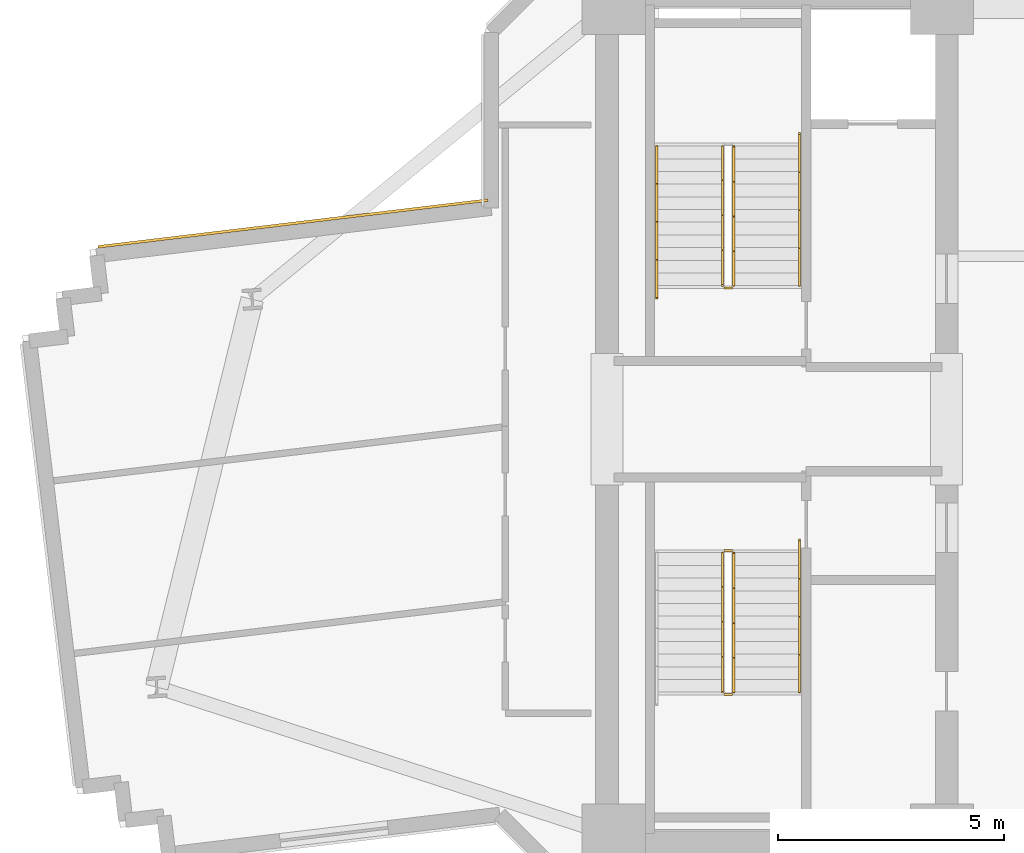
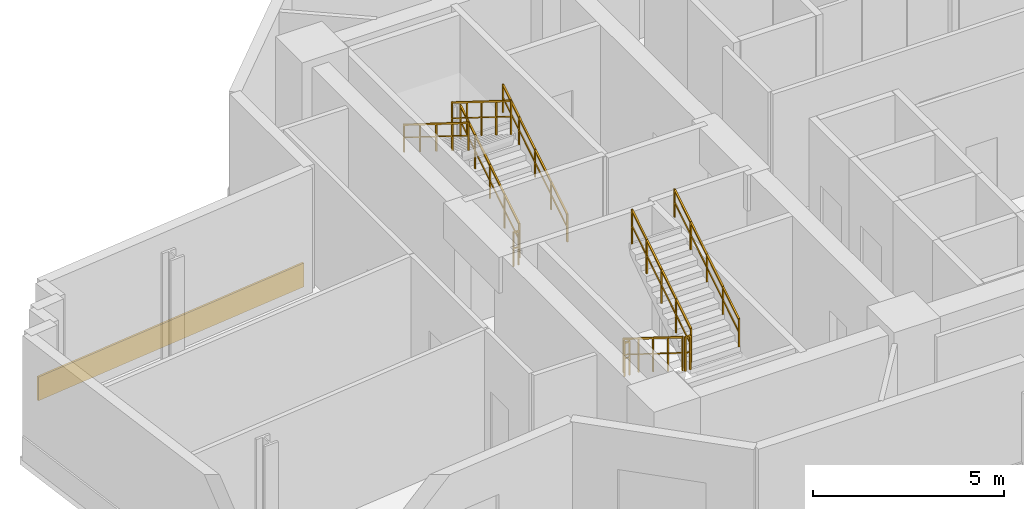
# One storey, part 12 of 15: 10 railings, 1 covering.
"""IFC4 building model written with IfcOpenShell, lengths in metres."""

from ifc_helpers import new_model, si_unit, direction, frame, origin, origin_2d, place, context, subcontext, project, spatial, rectangle, extrude, source, transform, mapped, material, layer, layer_set, type_object, element, save


model = new_model("IFC4")

# Units and contexts
model_context = context("Model", 3, precision=1e-05, world=origin(), true_north=direction((0.0, 1.0)))
body_context = subcontext(model_context, "Body", "Model", "MODEL_VIEW")
ifc_project = project(units=[si_unit("LENGTHUNIT", "METRE"), si_unit("AREAUNIT", "SQUARE_METRE"), si_unit("VOLUMEUNIT", "CUBIC_METRE"), si_unit("PLANEANGLEUNIT", "RADIAN"), si_unit("MASSUNIT", "GRAM", prefix="KILO")], contexts=[model_context])

# Site, building, storey
site_placement = place(None, origin())
site = spatial("IfcSite", under=ifc_project, at=site_placement, CompositionType="ELEMENT")
building_placement = place(site_placement, origin())
building = spatial("IfcBuilding", under=site, at=building_placement, Name="Zahravan Cultural Tower", CompositionType="ELEMENT")
storey_placement = place(building_placement, frame((0.0, 0.0, 104.699951171875)))
storey = spatial("IfcBuildingStorey", under=building, at=storey_placement, Name="L23", CompositionType="ELEMENT", Elevation=104.699951171875)

# Railings
ifc_material_1 = material(Name="Steel ASTM A572 Grade 50", Category="steel")
railing_type_1 = type_object("IfcRailingType", Name="RL-STAIR-GRD1150", PredefinedType="BALUSTRADE", material=ifc_material_1)
railing_1_placement = place(storey_placement, frame((24.300048828125, 29.949951171875, 0.175048828125)))
element("IfcRailing", 1, at=railing_1_placement, inside=storey, type_object=railing_type_1, Name="L23 ST-W1 stair guard 1", PredefinedType="BALUSTRADE", context=body_context, shape_type="SweptSolid", body=[
    extrude(rectangle(XDim=0.05, YDim=0.05, at=origin_2d()), frame((0.0, 0.0, 1.0751953125), z_axis=(0.0, 0.847998304005, 0.529998940003), x_axis=(-1.0, 0.0, 0.0)), (0.0, 0.0, 1.0), 3.632080078125),
    extrude(rectangle(XDim=0.032, YDim=0.032, at=origin_2d()), frame((0.0, 0.0, 0.572021484375), z_axis=(0.0, 0.847998304005, 0.529998940003), x_axis=(-1.0, 0.0, 0.0)), (0.0, 0.0, 1.0), 3.632080078125),
    extrude(rectangle(XDim=0.04, YDim=0.04, at=origin_2d()), origin(), (0.0, 0.0, 1.0), 1.10009765625),
    extrude(rectangle(XDim=0.04, YDim=0.04, at=origin_2d()), frame((0.0, 0.77001953125, 0.481201171875)), (0.0, 0.0, 1.0), 1.10009765625),
    extrude(rectangle(XDim=0.04, YDim=0.04, at=origin_2d()), frame((0.0, 1.5400390625, 0.96240234375)), (0.0, 0.0, 1.0), 1.10009765625),
    extrude(rectangle(XDim=0.04, YDim=0.04, at=origin_2d()), frame((0.0, 2.31005859375, 1.44384765625)), (0.0, 0.0, 1.0), 1.10009765625),
    extrude(rectangle(XDim=0.04, YDim=0.04, at=origin_2d()), frame((0.0, 3.080078125, 1.925048828125)), (0.0, 0.0, 1.0), 1.10009765625),
])
railing_2_placement = place(storey_placement, frame((24.050048828125, 33.030029296875, 2.275146484375)))
element("IfcRailing", 2, at=railing_2_placement, inside=storey, type_object=railing_type_1, Name="L23 ST-W1 stair guard 3", PredefinedType="BALUSTRADE", context=body_context, shape_type="SweptSolid", body=[
    extrude(rectangle(XDim=0.05, YDim=0.05, at=origin_2d()), frame((0.0, 0.0, 1.0751953125), z_axis=(0.0, -0.848028513186, 0.529950602248), x_axis=(1.0, 0.0, 0.0)), (0.0, 0.0, 1.0), 3.632080078125),
    extrude(rectangle(XDim=0.032, YDim=0.032, at=origin_2d()), frame((0.0, 0.0, 0.572021484375), z_axis=(0.0, -0.848028513186, 0.529950602248), x_axis=(1.0, 0.0, 0.0)), (0.0, 0.0, 1.0), 3.632080078125),
    extrude(rectangle(XDim=0.04, YDim=0.04, at=origin_2d()), origin(), (0.0, 0.0, 1.0), 1.10009765625),
    extrude(rectangle(XDim=0.04, YDim=0.04, at=origin_2d()), frame((0.0, -0.77001953125, 0.481201171875)), (0.0, 0.0, 1.0), 1.10009765625),
    extrude(rectangle(XDim=0.04, YDim=0.04, at=origin_2d()), frame((0.0, -1.5400390625, 0.96240234375)), (0.0, 0.0, 1.0), 1.10009765625),
    extrude(rectangle(XDim=0.04, YDim=0.04, at=origin_2d()), frame((0.0, -2.31005859375, 1.443603515625)), (0.0, 0.0, 1.0), 1.10009765625),
    extrude(rectangle(XDim=0.04, YDim=0.04, at=origin_2d()), frame((0.0, -3.080078125, 1.9248046875)), (0.0, 0.0, 1.0), 1.10009765625),
])
railing_3_placement = place(storey_placement, frame((24.25, 29.89990234375, 0.0)))
element("IfcRailing", 3, at=railing_3_placement, inside=storey, type_object=railing_type_1, Name="L23 ST-W1 stair guard 4", PredefinedType="BALUSTRADE", context=body_context, shape_type="SweptSolid", body=[
    extrude(rectangle(XDim=0.05, YDim=0.05, at=origin_2d()), frame((0.0, 0.0, 1.0751953125), z_axis=(-1.0, 0.0, 0.0), x_axis=(0.0, -1.0, 0.0)), (0.0, 0.0, 1.0), 0.14990234375),
    extrude(rectangle(XDim=0.032, YDim=0.032, at=origin_2d()), frame((0.0, 0.0, 0.572021484375), z_axis=(-1.0, 0.0, 0.0), x_axis=(0.0, -1.0, 0.0)), (0.0, 0.0, 1.0), 0.14990234375),
    extrude(rectangle(XDim=0.04, YDim=0.04, at=origin_2d()), origin(), (0.0, 0.0, 1.0), 1.10009765625),
    extrude(rectangle(XDim=0.04, YDim=0.04, at=origin_2d()), frame((-0.14990234375, 0.0, 0.0)), (0.0, 0.0, 1.0), 1.10009765625),
])
railing_4_placement = place(storey_placement, frame((24.050048828125, 24.050048828125, 0.175048828125)))
element("IfcRailing", 4, at=railing_4_placement, inside=storey, type_object=railing_type_1, Name="L23 ST-W2 stair guard 1", PredefinedType="BALUSTRADE", context=body_context, shape_type="SweptSolid", body=[
    extrude(rectangle(XDim=0.05, YDim=0.05, at=origin_2d()), frame((0.0, 0.0, 1.0751953125), z_axis=(0.0, -0.847998304005, 0.529998940003), x_axis=(1.0, 0.0, 0.0)), (0.0, 0.0, 1.0), 3.632080078125),
    extrude(rectangle(XDim=0.032, YDim=0.032, at=origin_2d()), frame((0.0, 0.0, 0.572021484375), z_axis=(0.0, -0.847998304005, 0.529998940003), x_axis=(1.0, 0.0, 0.0)), (0.0, 0.0, 1.0), 3.632080078125),
    extrude(rectangle(XDim=0.04, YDim=0.04, at=origin_2d()), origin(), (0.0, 0.0, 1.0), 1.10009765625),
    extrude(rectangle(XDim=0.04, YDim=0.04, at=origin_2d()), frame((0.0, -0.77001953125, 0.481201171875)), (0.0, 0.0, 1.0), 1.10009765625),
    extrude(rectangle(XDim=0.04, YDim=0.04, at=origin_2d()), frame((0.0, -1.5400390625, 0.96240234375)), (0.0, 0.0, 1.0), 1.10009765625),
    extrude(rectangle(XDim=0.04, YDim=0.04, at=origin_2d()), frame((0.0, -2.31005859375, 1.44384765625)), (0.0, 0.0, 1.0), 1.10009765625),
    extrude(rectangle(XDim=0.04, YDim=0.04, at=origin_2d()), frame((0.0, -3.080078125, 1.925048828125)), (0.0, 0.0, 1.0), 1.10009765625),
])
railing_5_placement = place(storey_placement, frame((24.10009765625, 20.919921875, 2.10009765625)))
element("IfcRailing", 5, at=railing_5_placement, inside=storey, type_object=railing_type_1, Name="L23 ST-W2 stair guard 2", PredefinedType="BALUSTRADE", context=body_context, shape_type="SweptSolid", body=[
    extrude(rectangle(XDim=0.05, YDim=0.05, at=origin_2d()), frame((0.0, 0.0, 1.0751953125), z_axis=(1.0, 0.0, 0.0), x_axis=(0.0, 1.0, 0.0)), (0.0, 0.0, 1.0), 0.14990234375),
    extrude(rectangle(XDim=0.032, YDim=0.032, at=origin_2d()), frame((0.0, 0.0, 0.572021484375), z_axis=(1.0, 0.0, 0.0), x_axis=(0.0, 1.0, 0.0)), (0.0, 0.0, 1.0), 0.14990234375),
    extrude(rectangle(XDim=0.04, YDim=0.04, at=origin_2d()), origin(), (0.0, 0.0, 1.0), 1.10009765625),
    extrude(rectangle(XDim=0.04, YDim=0.04, at=origin_2d()), frame((0.14990234375, 0.0, 0.0)), (0.0, 0.0, 1.0), 1.10009765625),
])
railing_6_placement = place(storey_placement, frame((24.300048828125, 20.969970703125, 2.275146484375)))
element("IfcRailing", 6, at=railing_6_placement, inside=storey, type_object=railing_type_1, Name="L23 ST-W2 stair guard 3", PredefinedType="BALUSTRADE", context=body_context, shape_type="SweptSolid", body=[
    extrude(rectangle(XDim=0.05, YDim=0.05, at=origin_2d()), frame((0.0, 0.0, 1.0751953125), z_axis=(0.0, 0.848028513186, 0.529950602248), x_axis=(-1.0, 0.0, 0.0)), (0.0, 0.0, 1.0), 3.632080078125),
    extrude(rectangle(XDim=0.032, YDim=0.032, at=origin_2d()), frame((0.0, 0.0, 0.572021484375), z_axis=(0.0, 0.848028513186, 0.529950602248), x_axis=(-1.0, 0.0, 0.0)), (0.0, 0.0, 1.0), 3.632080078125),
    extrude(rectangle(XDim=0.04, YDim=0.04, at=origin_2d()), origin(), (0.0, 0.0, 1.0), 1.10009765625),
    extrude(rectangle(XDim=0.04, YDim=0.04, at=origin_2d()), frame((0.0, 0.77001953125, 0.481201171875)), (0.0, 0.0, 1.0), 1.10009765625),
    extrude(rectangle(XDim=0.04, YDim=0.04, at=origin_2d()), frame((0.0, 1.5400390625, 0.96240234375)), (0.0, 0.0, 1.0), 1.10009765625),
    extrude(rectangle(XDim=0.04, YDim=0.04, at=origin_2d()), frame((0.0, 2.31005859375, 1.443603515625)), (0.0, 0.0, 1.0), 1.10009765625),
    extrude(rectangle(XDim=0.04, YDim=0.04, at=origin_2d()), frame((0.0, 3.080078125, 1.9248046875)), (0.0, 0.0, 1.0), 1.10009765625),
])
railing_7_placement = place(storey_placement, frame((24.10009765625, 24.10009765625, 0.0)))
element("IfcRailing", 7, at=railing_7_placement, inside=storey, type_object=railing_type_1, Name="L23 ST-W2 stair guard 4", PredefinedType="BALUSTRADE", context=body_context, shape_type="SweptSolid", body=[
    extrude(rectangle(XDim=0.05, YDim=0.05, at=origin_2d()), frame((0.0, 0.0, 1.0751953125), z_axis=(1.0, 0.0, 0.0), x_axis=(0.0, 1.0, 0.0)), (0.0, 0.0, 1.0), 0.14990234375),
    extrude(rectangle(XDim=0.032, YDim=0.032, at=origin_2d()), frame((0.0, 0.0, 0.572021484375), z_axis=(1.0, 0.0, 0.0), x_axis=(0.0, 1.0, 0.0)), (0.0, 0.0, 1.0), 0.14990234375),
    extrude(rectangle(XDim=0.04, YDim=0.04, at=origin_2d()), origin(), (0.0, 0.0, 1.0), 1.10009765625),
    extrude(rectangle(XDim=0.04, YDim=0.04, at=origin_2d()), frame((0.14990234375, 0.0, 0.0)), (0.0, 0.0, 1.0), 1.10009765625),
])
railing_type_2 = type_object("IfcRailingType", Name="RL-STAIR-HR900", PredefinedType="HANDRAIL", material=ifc_material_1)
railing_8_placement = place(storey_placement, frame((25.75, 29.949951171875, 0.175048828125)))
element("IfcRailing", 8, at=railing_8_placement, inside=storey, type_object=railing_type_2, Name="L23 ST-W1 stair handrail 1", PredefinedType="HANDRAIL", context=body_context, shape_type="SweptSolid", body=[
    extrude(rectangle(XDim=0.05, YDim=0.05, at=origin_2d()), frame((0.0, 0.0, 0.875), z_axis=(0.0, 0.847994842521, 0.530004478338), x_axis=(-1.0, 0.0, 0.0)), (0.0, 0.0, 1.0), 3.96240234375),
    extrude(rectangle(XDim=0.032, YDim=0.032, at=origin_2d()), frame((0.0, 0.0, 0.468017578125), z_axis=(0.0, 0.847994842521, 0.530004478338), x_axis=(-1.0, 0.0, 0.0)), (0.0, 0.0, 1.0), 3.96240234375),
    extrude(rectangle(XDim=0.04, YDim=0.04, at=origin_2d()), origin(), (0.0, 0.0, 1.0), 0.89990234375),
    extrude(rectangle(XDim=0.04, YDim=0.04, at=origin_2d()), frame((0.0, 0.840087890625, 0.52490234375)), (0.0, 0.0, 1.0), 0.89990234375),
    extrude(rectangle(XDim=0.04, YDim=0.04, at=origin_2d()), frame((0.0, 1.68017578125, 1.050048828125)), (0.0, 0.0, 1.0), 0.89990234375),
    extrude(rectangle(XDim=0.04, YDim=0.04, at=origin_2d()), frame((0.0, 2.52001953125, 1.5751953125)), (0.0, 0.0, 1.0), 0.89990234375),
    extrude(rectangle(XDim=0.04, YDim=0.04, at=origin_2d()), frame((0.0, 3.360107421875, 2.10009765625)), (0.0, 0.0, 1.0), 0.89990234375),
])
railing_9_placement = place(storey_placement, frame((22.60009765625, 33.030029296875, 2.275146484375)))
element("IfcRailing", 9, at=railing_9_placement, inside=storey, type_object=railing_type_2, Name="L23 ST-W1 stair handrail 2", PredefinedType="HANDRAIL", context=body_context, shape_type="SweptSolid", body=[
    extrude(rectangle(XDim=0.05, YDim=0.05, at=origin_2d()), frame((0.0, 0.0, 0.875), z_axis=(0.0, -0.848022534174, 0.529960169762), x_axis=(1.0, 0.0, 0.0)), (0.0, 0.0, 1.0), 3.96240234375),
    extrude(rectangle(XDim=0.032, YDim=0.032, at=origin_2d()), frame((0.0, 0.0, 0.468017578125), z_axis=(0.0, -0.848022534174, 0.529960169762), x_axis=(1.0, 0.0, 0.0)), (0.0, 0.0, 1.0), 3.96240234375),
    extrude(rectangle(XDim=0.04, YDim=0.04, at=origin_2d()), origin(), (0.0, 0.0, 1.0), 0.89990234375),
    extrude(rectangle(XDim=0.04, YDim=0.04, at=origin_2d()), frame((0.0, -0.840087890625, 0.52490234375)), (0.0, 0.0, 1.0), 0.89990234375),
    extrude(rectangle(XDim=0.04, YDim=0.04, at=origin_2d()), frame((0.0, -1.68017578125, 1.0498046875)), (0.0, 0.0, 1.0), 0.89990234375),
    extrude(rectangle(XDim=0.04, YDim=0.04, at=origin_2d()), frame((0.0, -2.52001953125, 1.574951171875)), (0.0, 0.0, 1.0), 0.89990234375),
    extrude(rectangle(XDim=0.04, YDim=0.04, at=origin_2d()), frame((0.0, -3.360107421875, 2.099853515625)), (0.0, 0.0, 1.0), 0.89990234375),
])
railing_10_placement = place(storey_placement, frame((25.75, 20.969970703125, 2.275146484375)))
element("IfcRailing", 10, at=railing_10_placement, inside=storey, type_object=railing_type_2, Name="L23 ST-W2 stair handrail 2", PredefinedType="HANDRAIL", context=body_context, shape_type="SweptSolid", body=[
    extrude(rectangle(XDim=0.05, YDim=0.05, at=origin_2d()), frame((0.0, 0.0, 0.875), z_axis=(0.0, 0.848022534174, 0.529960169762), x_axis=(-1.0, 0.0, 0.0)), (0.0, 0.0, 1.0), 3.96240234375),
    extrude(rectangle(XDim=0.032, YDim=0.032, at=origin_2d()), frame((0.0, 0.0, 0.468017578125), z_axis=(0.0, 0.848022534174, 0.529960169762), x_axis=(-1.0, 0.0, 0.0)), (0.0, 0.0, 1.0), 3.96240234375),
    extrude(rectangle(XDim=0.04, YDim=0.04, at=origin_2d()), origin(), (0.0, 0.0, 1.0), 0.89990234375),
    extrude(rectangle(XDim=0.04, YDim=0.04, at=origin_2d()), frame((0.0, 0.840087890625, 0.52490234375)), (0.0, 0.0, 1.0), 0.89990234375),
    extrude(rectangle(XDim=0.04, YDim=0.04, at=origin_2d()), frame((0.0, 1.68017578125, 1.0498046875)), (0.0, 0.0, 1.0), 0.89990234375),
    extrude(rectangle(XDim=0.04, YDim=0.04, at=origin_2d()), frame((0.0, 2.52001953125, 1.574951171875)), (0.0, 0.0, 1.0), 0.89990234375),
    extrude(rectangle(XDim=0.04, YDim=0.04, at=origin_2d()), frame((0.0, 3.360107421875, 2.099853515625)), (0.0, 0.0, 1.0), 0.89990234375),
])

# Covering
ifc_material_2 = material(Name="Terracotta ceramic cladding", Category="masonry")
ifc_layer = layer(ifc_material_2, 0.06005859375)
ifc_layer_set = layer_set([ifc_layer], Name="Terracotta ceramic cladding")
covering_type = type_object("IfcCoveringType", Name="COV-CLAD-TC60", PredefinedType="CLADDING", material=ifc_layer_set)
shared_shape = source(origin(), body_context, "Body", "SweptSolid", [
    extrude(rectangle(XDim=8.676513671875, YDim=0.06005859375, at=origin_2d()), origin(), (0.0, 0.0, 1.0), 0.760009765625),
])
covering_placement = place(storey_placement, frame((14.560791015625, 31.322509765625, 0.02001953125), z_axis=(0.0, 0.0, 1.0), x_axis=(0.99288260457, 0.119097160095, 0.0)))
element("IfcCovering", 11, at=covering_placement, inside=storey, type_object=covering_type, Name="L23 Terracotta Spandrel Cladding 37", PredefinedType="CLADDING", context=body_context, shape_type="MappedRepresentation", body=[
    mapped(shared_shape, transform((0.0, 0.0, 0.0), x_axis=(1.0, 0.0, 0.0), y_axis=(0.0, 1.0, 0.0), z_axis=(0.0, 0.0, 1.0), scale=1.0)),
])

save(model, "model.ifc")
